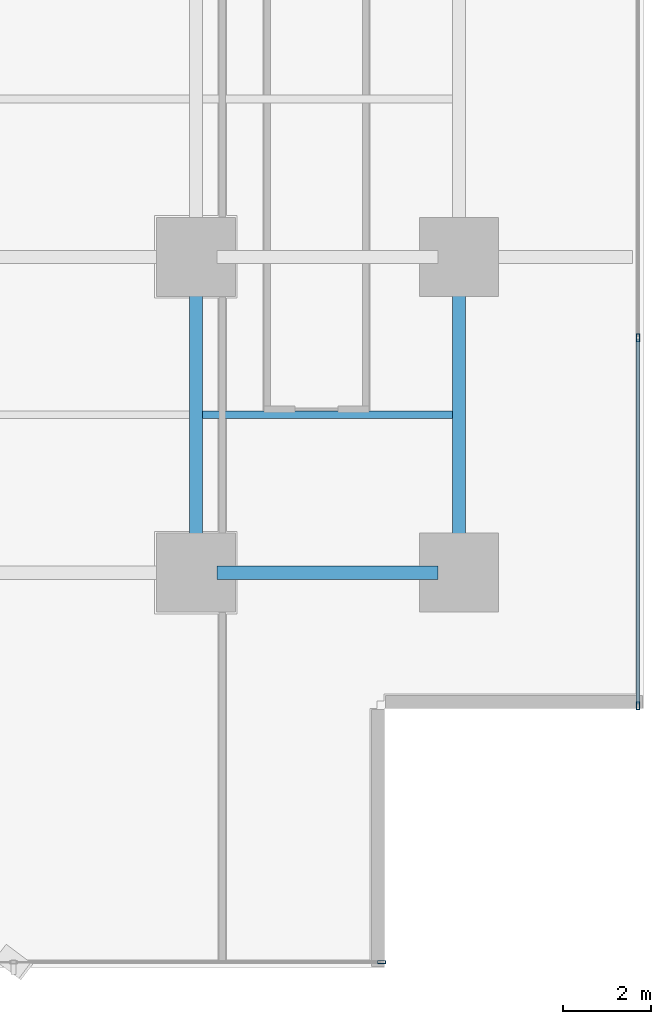
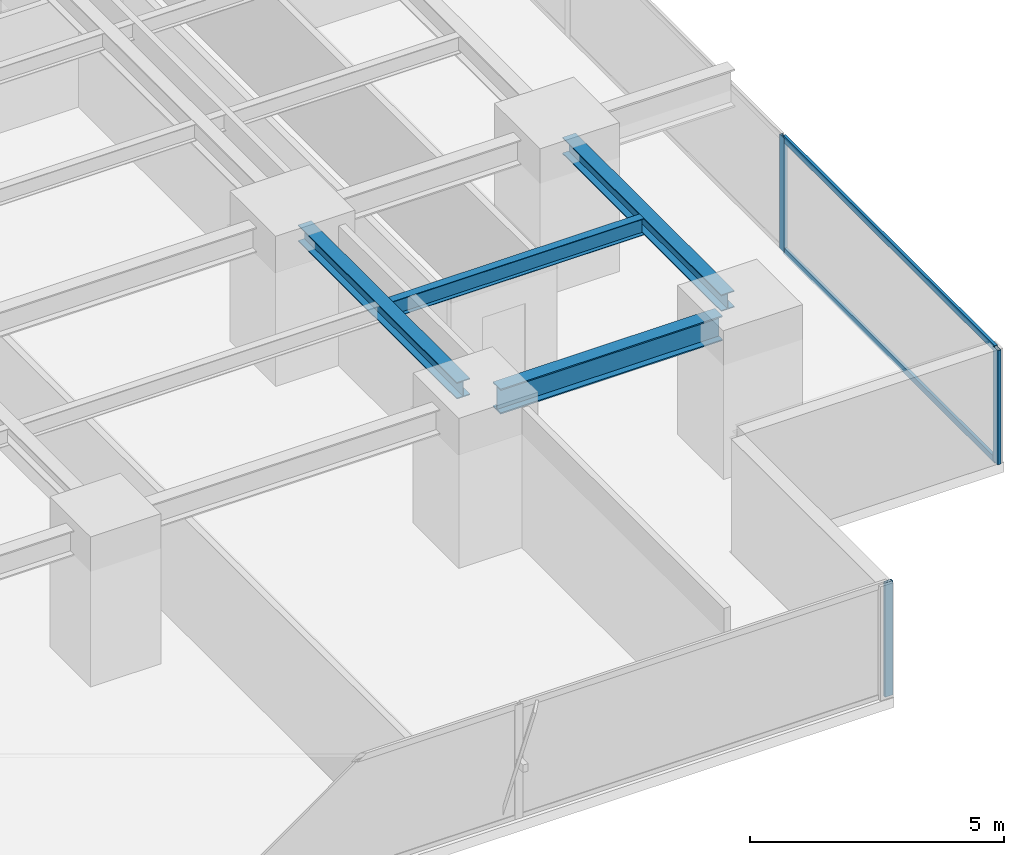
# One storey, part 12 of 32: 5 members, 4 beams, 2 elements without a shape of their own.
"""IFC4 building model written with IfcOpenShell, lengths in metres."""

from ifc_helpers import new_model, si_unit, direction, frame, origin, origin_2d, place, context, subcontext, project, spatial, hollow_rectangle, i_section, extrude, source, transform, mapped, material, layer, layer_set, material_profile, profile_set, type_object, element, aggregate, save


model = new_model("IFC4")

# Units and contexts
model_context = context("Model", 3, precision=1e-05, world=origin(), true_north=direction((0.0, 1.0)))
body_context = subcontext(model_context, "Body", "Model", "MODEL_VIEW")
ifc_project = project(units=[si_unit("LENGTHUNIT", "METRE"), si_unit("AREAUNIT", "SQUARE_METRE"), si_unit("VOLUMEUNIT", "CUBIC_METRE"), si_unit("PLANEANGLEUNIT", "RADIAN"), si_unit("MASSUNIT", "GRAM", prefix="KILO")], contexts=[model_context])

# Site, building, storey
site_placement = place(None, origin())
site = spatial("IfcSite", under=ifc_project, at=site_placement, CompositionType="ELEMENT")
building_placement = place(site_placement, origin())
building = spatial("IfcBuilding", under=site, at=building_placement, Name="Sumidabori Civic Tower", CompositionType="ELEMENT")
storey_placement = place(building_placement, frame((0.0, 0.0, 48.800048828125)))
storey = spatial("IfcBuildingStorey", under=building, at=storey_placement, Name="L12", CompositionType="ELEMENT", Elevation=48.800048828125)

# Beams
ifc_material_1 = material(Name="Steel SN490", Category="steel")
ifc_material_profile_1 = material_profile(ifc_material_1, i_section(OverallWidth=0.300048828125, OverallDepth=0.60009765625, WebThickness=0.015380859375, FlangeThickness=0.030029296875, at=origin_2d()), Name="HE 600 B")
ifc_profile_set_1 = profile_set([ifc_material_profile_1], Name="Steel SN490")
beam_type_1 = type_object("IfcBeamType", Name="BM-GIRD-600", PredefinedType="BEAM", material=ifc_profile_set_1)
shared_shape_1 = source(origin(), body_context, "Body", "SweptSolid", [
    extrude(i_section(OverallWidth=0.300048828125, OverallDepth=0.60009765625, WebThickness=0.015380859375, FlangeThickness=0.030029296875, at=origin_2d()), origin(), (0.0, 0.0, 1.0), 5.0400390625),
])
beam_1_placement = place(storey_placement, frame((17.280029296875, -18.0, 3.06005859375), z_axis=(1.0, 0.0, 0.0), x_axis=(0.0, 1.0, 0.0)))
element("IfcBeam", 1, at=beam_1_placement, inside=storey, type_object=beam_type_1, Name="Primary Girder L12 GX-06", PredefinedType="BEAM", context=body_context, shape_type="MappedRepresentation", body=[
    mapped(shared_shape_1, transform((0.0, 0.0, 0.0), x_axis=(1.0, 0.0, 0.0), y_axis=(0.0, 1.0, 0.0), z_axis=(0.0, 0.0, 1.0), scale=1.0)),
])
ifc_material_profile_2 = material_profile(ifc_material_1, i_section(OverallWidth=0.300048828125, OverallDepth=0.39990234375, WebThickness=0.013427734375, FlangeThickness=0.02392578125, at=origin_2d()), Name="HE 400 B")
ifc_profile_set_2 = profile_set([ifc_material_profile_2], Name="Steel SN490")
beam_type_2 = type_object("IfcBeamType", Name="BM-GIRD-400", PredefinedType="BEAM", material=ifc_profile_set_2)
shared_shape_2 = source(origin(), body_context, "Body", "SweptSolid", [
    extrude(i_section(OverallWidth=0.300048828125, OverallDepth=0.39990234375, WebThickness=0.013427734375, FlangeThickness=0.02392578125, at=origin_2d()), origin(), (0.0, 0.0, 1.0), 6.239990234375),
])
for number, where, z_axis, x_axis, name in (
    (2, (16.800048828125, -17.52001953125, 3.159912109375), (0.0, 1.0, 0.0), (-1.0, 0.0, 0.0), "Primary Girder L12 GY-35"),
    (3, (22.800048828125, -17.52001953125, 3.159912109375), (0.0, 1.0, 0.0), (-1.0, 0.0, 0.0), "Primary Girder L12 GY-39"),
):
    element("IfcBeam", number, at=place(storey_placement, frame(where, z_axis=z_axis, x_axis=x_axis)), inside=storey, type_object=beam_type_2, Name=name, PredefinedType="BEAM", context=body_context, shape_type="MappedRepresentation", body=[
        mapped(shared_shape_2, transform((0.0, 0.0, 0.0), x_axis=(1.0, 0.0, 0.0), y_axis=(0.0, 1.0, 0.0), z_axis=(0.0, 0.0, 1.0), scale=1.0)),
    ])
ifc_material_profile_3 = material_profile(ifc_material_1, i_section(OverallWidth=0.179931640625, OverallDepth=0.39990234375, WebThickness=0.008544921875, FlangeThickness=0.013427734375, at=origin_2d()), Name="IPE 400")
ifc_profile_set_3 = profile_set([ifc_material_profile_3], Name="Steel SN490")
beam_type_3 = type_object("IfcBeamType", Name="BM-JST-400", PredefinedType="JOIST", material=ifc_profile_set_3)
shared_shape_3 = source(origin(), body_context, "Body", "SweptSolid", [
    extrude(i_section(OverallWidth=0.179931640625, OverallDepth=0.39990234375, WebThickness=0.008544921875, FlangeThickness=0.013427734375, at=origin_2d()), origin(), (0.0, 0.0, 1.0), 5.699951171875),
])
beam_2_placement = place(storey_placement, frame((16.949951171875, -14.39990234375, 3.159912109375), z_axis=(1.0, 0.0, 0.0), x_axis=(0.0, 1.0, 0.0)))
element("IfcBeam", 4, at=beam_2_placement, inside=storey, type_object=beam_type_3, Name="Outer Bay Floor Joist L12 JSTO-58", PredefinedType="JOIST", context=body_context, shape_type="MappedRepresentation", body=[
    mapped(shared_shape_3, transform((0.0, 0.0, 0.0), x_axis=(1.0, 0.0, 0.0), y_axis=(0.0, 1.0, 0.0), z_axis=(0.0, 0.0, 1.0), scale=1.0)),
])

# Curtain wall, member
ifc_material_2 = material(Name="Anodised Bronze Aluminium AW-6063-T6", Category="aluminium")
ifc_layer = layer(ifc_material_2, 0.179931640625, Name="Anodised Bronze Aluminium AW-6063-T6")
ifc_layer_set = layer_set([ifc_layer], Name="Anodised Bronze Aluminium AW-6063-T6")
curtain_wall_type = type_object("IfcCurtainWallType", Name="CW-SYS-2", PredefinedType="NOTDEFINED", material=ifc_layer_set)
curtain_wall_1_placement = place(storey_placement, origin())
curtain_wall_1 = element("IfcCurtainWall", 5, at=curtain_wall_1_placement, inside=storey, type_object=curtain_wall_type, Name="Curtain Wall CW:L12:R01", PredefinedType="NOTDEFINED")
ifc_material_profile_4 = material_profile(ifc_material_2, hollow_rectangle(XDim=0.070068359375, YDim=0.179931640625, WallThickness=0.006103515625, at=origin_2d()), Name="ALU MULLION 180x70")
ifc_profile_set_4 = profile_set([ifc_material_profile_4], Name="Anodised Bronze Aluminium AW-6063-T6")
member_type_1 = type_object("IfcMemberType", Name="CW-MUL-180", PredefinedType="MULLION", material=ifc_profile_set_4)
shared_shape_4 = source(origin(), body_context, "Body", "SweptSolid", [
    extrude(hollow_rectangle(XDim=0.070068359375, YDim=0.179931640625, WallThickness=0.006103515625, at=origin_2d()), origin(), (0.0, 0.0, 1.0), 2.739990234375),
])
member_1_placement = place(storey_placement, frame((21.034912109375, -26.8798828125, 0.0), z_axis=(0.0, 0.0, 1.0), x_axis=(0.0, 1.0, 0.0)))
member_1 = element("IfcMember", 6, at=member_1_placement, type_object=member_type_1, Name="CW-2 mullion 6", PredefinedType="MULLION", context=body_context, shape_type="MappedRepresentation", body=[
    mapped(shared_shape_4, transform((0.0, 0.0, 0.0), x_axis=(1.0, 0.0, 0.0), y_axis=(0.0, 1.0, 0.0), z_axis=(0.0, 0.0, 1.0), scale=1.0)),
])
aggregate(curtain_wall_1, [member_1])

# Curtain wall, members
curtain_wall_2_placement = place(storey_placement, origin())
curtain_wall_2 = element("IfcCurtainWall", 7, at=curtain_wall_2_placement, inside=storey, type_object=curtain_wall_type, Name="Curtain Wall CW:L12:R04", PredefinedType="NOTDEFINED")
member_2_placement = place(storey_placement, frame((26.8798828125, -21.034912109375, 0.0), z_axis=(0.0, 0.0, 1.0), x_axis=(-1.0, 0.0, 0.0)))
member_2 = element("IfcMember", 8, at=member_2_placement, type_object=member_type_1, Name="CW-2 mullion 1", PredefinedType="MULLION", context=body_context, shape_type="MappedRepresentation", body=[
    mapped(shared_shape_4, transform((0.0, 0.0, 0.0), x_axis=(1.0, 0.0, 0.0), y_axis=(0.0, 1.0, 0.0), z_axis=(0.0, 0.0, 1.0), scale=1.0)),
])
member_3_placement = place(storey_placement, frame((26.8798828125, -12.64208984375, 0.0), z_axis=(0.0, 0.0, 1.0), x_axis=(-1.0, 0.0, 0.0)))
member_3 = element("IfcMember", 9, at=member_3_placement, type_object=member_type_1, Name="CW-2 mullion 2", PredefinedType="MULLION", context=body_context, shape_type="MappedRepresentation", body=[
    mapped(shared_shape_4, transform((0.0, 0.0, 0.0), x_axis=(1.0, 0.0, 0.0), y_axis=(0.0, 1.0, 0.0), z_axis=(0.0, 0.0, 1.0), scale=1.0)),
])
ifc_material_profile_5 = material_profile(ifc_material_2, hollow_rectangle(XDim=0.06494140625, YDim=0.14990234375, WallThickness=0.0048828125, at=origin_2d()), Name="ALU TRANSOM 150x65")
ifc_profile_set_5 = profile_set([ifc_material_profile_5], Name="Anodised Bronze Aluminium AW-6063-T6")
member_type_2 = type_object("IfcMemberType", Name="CW-TRN-150", PredefinedType="USERDEFINED", material=ifc_profile_set_5)
shared_shape_5 = source(origin(), body_context, "Body", "SweptSolid", [
    extrude(hollow_rectangle(XDim=0.06494140625, YDim=0.14990234375, WallThickness=0.0048828125, at=origin_2d()), origin(), (0.0, 0.0, 1.0), 8.322998046875),
])
member_4_placement = place(storey_placement, frame((26.8798828125, -21.0, 0.032470703125), z_axis=(0.0, 1.0, 0.0), x_axis=(-1.0, 0.0, 0.0)))
member_4 = element("IfcMember", 10, at=member_4_placement, type_object=member_type_2, Name="CW-2 transom 1.1", ObjectType="TRANSOM", PredefinedType="USERDEFINED", context=body_context, shape_type="MappedRepresentation", body=[
    mapped(shared_shape_5, transform((0.0, 0.0, 0.0), x_axis=(1.0, 0.0, 0.0), y_axis=(0.0, 1.0, 0.0), z_axis=(0.0, 0.0, 1.0), scale=1.0)),
])
member_5_placement = place(storey_placement, frame((26.8798828125, -21.0, 2.70751953125), z_axis=(0.0, 1.0, 0.0), x_axis=(-1.0, 0.0, 0.0)))
member_5 = element("IfcMember", 11, at=member_5_placement, type_object=member_type_2, Name="CW-2 transom 1.2", ObjectType="TRANSOM", PredefinedType="USERDEFINED", context=body_context, shape_type="MappedRepresentation", body=[
    mapped(shared_shape_5, transform((0.0, 0.0, 0.0), x_axis=(1.0, 0.0, 0.0), y_axis=(0.0, 1.0, 0.0), z_axis=(0.0, 0.0, 1.0), scale=1.0)),
])
aggregate(curtain_wall_2, [member_2, member_3, member_4, member_5])

save(model, "model.ifc")
